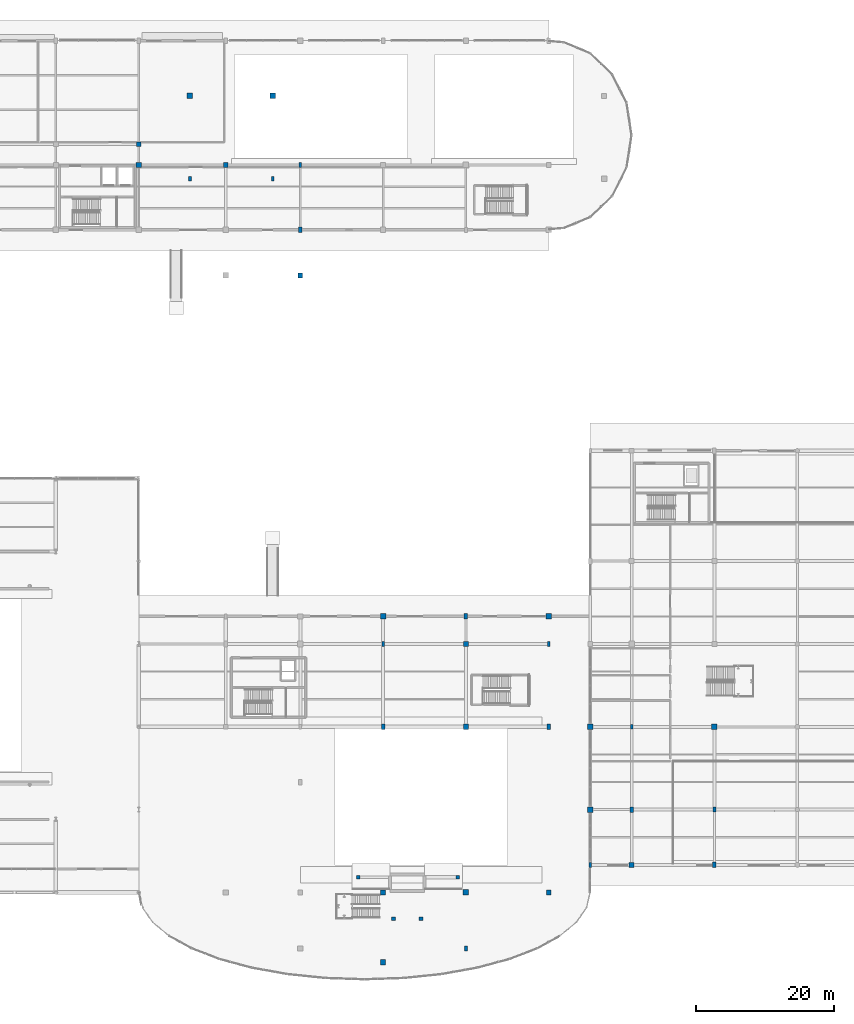
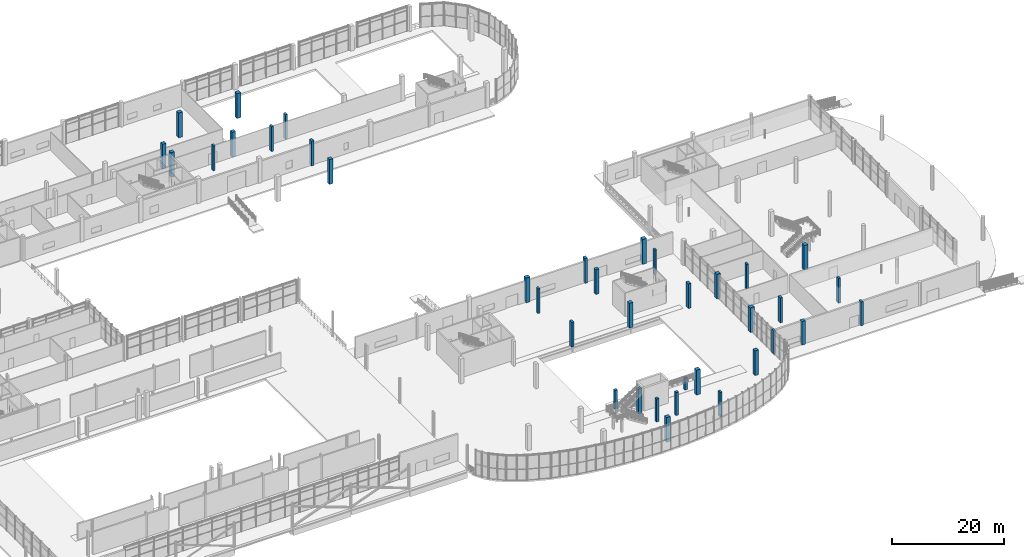
# One storey, part 12 of 85: 37 columns.
"""IFC4 building model written with IfcOpenShell, lengths in metres."""

from ifc_helpers import new_model, si_unit, direction, frame, origin, origin_2d, place, context, subcontext, project, spatial, rectangle, extrude, material, material_profile, profile_set, type_object, element, save


model = new_model("IFC4")

# Units and contexts
model_context = context("Model", 3, precision=1e-05, world=origin(), true_north=direction((0.0, 1.0)))
body_context = subcontext(model_context, "Body", "Model", "MODEL_VIEW")
ifc_project = project(units=[si_unit("LENGTHUNIT", "METRE"), si_unit("AREAUNIT", "SQUARE_METRE"), si_unit("VOLUMEUNIT", "CUBIC_METRE"), si_unit("PLANEANGLEUNIT", "RADIAN"), si_unit("MASSUNIT", "GRAM", prefix="KILO"), si_unit("THERMODYNAMICTEMPERATUREUNIT", "KELVIN"), si_unit("POWERUNIT", "WATT")], contexts=[model_context])

# Site, building, storey
site_placement = place(None, origin())
site = spatial("IfcSite", under=ifc_project, at=site_placement, CompositionType="ELEMENT")
building_placement = place(site_placement, origin())
building = spatial("IfcBuilding", under=site, at=building_placement, Name="Solmara Park Aquatics Centre", CompositionType="ELEMENT")
storey_placement = place(building_placement, origin())
storey = spatial("IfcBuildingStorey", under=building, at=storey_placement, Name="L00", CompositionType="ELEMENT", Elevation=0.0)

# Columns
ifc_material = material(Name="Concrete C40/50", Category="concrete")
ifc_material_profile_1 = material_profile(ifc_material, rectangle(XDim=0.5, YDim=0.800048828125, at=origin_2d()), Name="RC 500x800")
ifc_profile_set_1 = profile_set([ifc_material_profile_1], Name="Concrete C40/50")
column_type_1 = type_object("IfcColumnType", Name="STR-COL-RC500x800", PredefinedType="COLUMN", material=ifc_profile_set_1)
for number, where, z_axis, x_axis, name in (
    (1, (120.0, 108.60009765625, 0.0), (0.0, 0.0, 1.0), (1.0, 0.0, 0.0), "Column L00-0258"),
    (2, (132.0, 36.60009765625, 0.0), (0.0, 0.0, 1.0), (1.0, 0.0, 0.0), "Column L00-0263"),
    (3, (144.0, 52.60009765625, 0.0), (0.0, 0.0, 1.0), (1.0, 0.0, 0.0), "Column L00-0273"),
    (4, (156.0, 36.60009765625, 0.0), (0.0, 0.0, 1.0), (1.0, 0.0, 0.0), "Column L00-0278"),
    (5, (168.0, 24.60009765625, 0.0), (0.0, 0.0, 1.0), (1.0, 0.0, 0.0), "Column L00-0293"),
):
    element("IfcColumn", number, at=place(storey_placement, frame(where, z_axis=z_axis, x_axis=x_axis)), inside=storey, type_object=column_type_1, Name=name, PredefinedType="COLUMN", context=body_context, shape_type="SweptSolid", body=[
        extrude(rectangle(XDim=0.5, YDim=0.800048828125, at=origin_2d()), origin(), (0.0, 0.0, 1.0), 5.39990234375),
    ])
column_1_placement = place(storey_placement, frame((180.0, 16.60009765625, 0.0), z_axis=(0.0, 0.0, 1.0), x_axis=(1.0, 0.0, 0.0)))
element("IfcColumn", 6, at=column_1_placement, inside=storey, type_object=column_type_1, Name="Column L00-0298", PredefinedType="COLUMN", context=body_context, shape_type="SweptSolid", body=[
    extrude(rectangle(XDim=0.5, YDim=0.800048828125, at=origin_2d()), origin(), (0.0, 0.0, 1.0), 5.139892578125),
])
ifc_material_profile_2 = material_profile(ifc_material, rectangle(XDim=0.550048828125, YDim=0.550048828125, at=origin_2d()), Name="RC 550x550")
ifc_profile_set_2 = profile_set([ifc_material_profile_2], Name="Concrete C40/50")
column_type_2 = type_object("IfcColumnType", Name="STR-COL-RC550", PredefinedType="COLUMN", material=ifc_profile_set_2)
column_2_placement = place(storey_placement, frame((128.39990234375, 14.800048828125, 0.0), z_axis=(0.0, 0.0, 1.0), x_axis=(1.0, 0.0, 0.0)))
element("IfcColumn", 7, at=column_2_placement, inside=storey, type_object=column_type_2, Name="Diving Pylon Column L00 128-14", PredefinedType="COLUMN", context=body_context, shape_type="SweptSolid", body=[
    extrude(rectangle(XDim=0.550048828125, YDim=0.550048828125, at=origin_2d()), origin(), (0.0, 0.0, 1.0), 5.0),
])
column_3_placement = place(storey_placement, frame((142.800048828125, 14.800048828125, 0.0), z_axis=(0.0, 0.0, 1.0), x_axis=(1.0, 0.0, 0.0)))
element("IfcColumn", 8, at=column_3_placement, inside=storey, type_object=column_type_2, Name="Diving Pylon Column L00 142-14", PredefinedType="COLUMN", context=body_context, shape_type="SweptSolid", body=[
    extrude(rectangle(XDim=0.550048828125, YDim=0.550048828125, at=origin_2d()), origin(), (0.0, 0.0, 1.0), 2.639892578125),
])
for number, where, z_axis, x_axis, name in (
    (9, (133.5, 8.800048828125, 0.0), (0.0, 0.0, 1.0), (1.0, 0.0, 0.0), "Diving Pylon Column L00 133-8"),
    (10, (137.5, 8.800048828125, 0.0), (0.0, 0.0, 1.0), (1.0, 0.0, 0.0), "Diving Pylon Column L00 137-8"),
):
    element("IfcColumn", number, at=place(storey_placement, frame(where, z_axis=z_axis, x_axis=x_axis)), inside=storey, type_object=column_type_2, Name=name, PredefinedType="COLUMN", context=body_context, shape_type="SweptSolid", body=[
        extrude(rectangle(XDim=0.550048828125, YDim=0.550048828125, at=origin_2d()), origin(), (0.0, 0.0, 1.0), 5.0),
    ])
ifc_material_profile_3 = material_profile(ifc_material, rectangle(XDim=0.699951171875, YDim=0.699951171875, at=origin_2d()), Name="RC 700x700")
ifc_profile_set_3 = profile_set([ifc_material_profile_3], Name="Concrete C40/50")
column_type_3 = type_object("IfcColumnType", Name="STR-COL-RC700", PredefinedType="COLUMN", material=ifc_profile_set_3)
for number, where, z_axis, x_axis, name in (
    (11, (96.60009765625, 121.0, 0.0), (0.0, 0.0, 1.0), (1.0, 0.0, 0.0), "Column L00-0237"),
    (12, (109.199951171875, 118.0, 0.0), (0.0, 0.0, 1.0), (1.0, 0.0, 0.0), "Column L00-0247"),
    (13, (120.0, 102.0, 0.0), (0.0, 0.0, 1.0), (1.0, 0.0, 0.0), "Column L00-0257"),
    (14, (132.0, 12.60009765625, 0.0), (0.0, 0.0, 1.0), (1.0, 0.0, 0.0), "Column L00-0262"),
    (15, (144.0, 48.60009765625, 0.0), (0.0, 0.0, 1.0), (1.0, 0.0, 0.0), "Column L00-0272"),
    (16, (156.0, 12.60009765625, 0.0), (0.0, 0.0, 1.0), (1.0, 0.0, 0.0), "Column L00-0277"),
):
    element("IfcColumn", number, at=place(storey_placement, frame(where, z_axis=z_axis, x_axis=x_axis)), inside=storey, type_object=column_type_3, Name=name, PredefinedType="COLUMN", context=body_context, shape_type="SweptSolid", body=[
        extrude(rectangle(XDim=0.699951171875, YDim=0.699951171875, at=origin_2d()), origin(), (0.0, 0.0, 1.0), 5.39990234375),
    ])
column_4_placement = place(storey_placement, frame((168.0, 16.60009765625, 0.0), z_axis=(0.0, 0.0, 1.0), x_axis=(1.0, 0.0, 0.0)))
element("IfcColumn", 17, at=column_4_placement, inside=storey, type_object=column_type_3, Name="Column L00-0292", PredefinedType="COLUMN", context=body_context, shape_type="SweptSolid", body=[
    extrude(rectangle(XDim=0.699951171875, YDim=0.699951171875, at=origin_2d()), origin(), (0.0, 0.0, 1.0), 5.139892578125),
])
ifc_material_profile_4 = material_profile(ifc_material, rectangle(XDim=0.75, YDim=0.75, at=origin_2d()), Name="RC 750x750")
ifc_profile_set_4 = profile_set([ifc_material_profile_4], Name="Concrete C40/50")
column_type_4 = type_object("IfcColumnType", Name="STR-COL-RC750", PredefinedType="COLUMN", material=ifc_profile_set_4)
for number, where, z_axis, x_axis, name in (
    (18, (96.60009765625, 118.0, 0.0), (0.0, 0.0, 1.0), (1.0, 0.0, 0.0), "Column L00-0236"),
    (19, (132.0, 2.5, 0.0), (0.0, 0.0, 1.0), (1.0, 0.0, 0.0), "Column L00-0261"),
    (20, (144.0, 36.60009765625, 0.0), (0.0, 0.0, 1.0), (1.0, 0.0, 0.0), "Column L00-0271"),
    (21, (162.0, 36.60009765625, 0.0), (0.0, 0.0, 1.0), (1.0, 0.0, 0.0), "Column L00-0286"),
):
    element("IfcColumn", number, at=place(storey_placement, frame(where, z_axis=z_axis, x_axis=x_axis)), inside=storey, type_object=column_type_4, Name=name, PredefinedType="COLUMN", context=body_context, shape_type="SweptSolid", body=[
        extrude(rectangle(XDim=0.75, YDim=0.75, at=origin_2d()), origin(), (0.0, 0.0, 1.0), 5.39990234375),
    ])
ifc_material_profile_5 = material_profile(ifc_material, rectangle(XDim=0.800048828125, YDim=0.800048828125, at=origin_2d()), Name="RC 800x800")
ifc_profile_set_5 = profile_set([ifc_material_profile_5], Name="Concrete C40/50")
column_type_5 = type_object("IfcColumnType", Name="STR-COL-RC800", PredefinedType="COLUMN", material=ifc_profile_set_5)
for number, where, z_axis, x_axis, name in (
    (22, (104.0, 128.0, 0.0), (0.0, 0.0, 1.0), (1.0, 0.0, 0.0), "Column L00-0240"),
    (23, (116.0, 128.0, 0.0), (0.0, 0.0, 1.0), (1.0, 0.0, 0.0), "Column L00-0250"),
    (24, (132.0, 52.60009765625, 0.0), (0.0, 0.0, 1.0), (1.0, 0.0, 0.0), "Column L00-0265"),
    (25, (144.0, 12.60009765625, 0.0), (0.0, 0.0, 1.0), (1.0, 0.0, 0.0), "Column L00-0270"),
    (26, (156.0, 52.60009765625, 0.0), (0.0, 0.0, 1.0), (1.0, 0.0, 0.0), "Column L00-0280"),
    (27, (162.0, 24.60009765625, 0.0), (0.0, 0.0, 1.0), (1.0, 0.0, 0.0), "Column L00-0285"),
    (28, (180.0, 36.60009765625, 0.0), (0.0, 0.0, 1.0), (1.0, 0.0, 0.0), "Column L00-0300"),
):
    element("IfcColumn", number, at=place(storey_placement, frame(where, z_axis=z_axis, x_axis=x_axis)), inside=storey, type_object=column_type_5, Name=name, PredefinedType="COLUMN", context=body_context, shape_type="SweptSolid", body=[
        extrude(rectangle(XDim=0.800048828125, YDim=0.800048828125, at=origin_2d()), origin(), (0.0, 0.0, 1.0), 5.39990234375),
    ])
ifc_material_profile_6 = material_profile(ifc_material, rectangle(XDim=0.39990234375, YDim=0.699951171875, at=origin_2d()), Name="RC 400x700")
ifc_profile_set_6 = profile_set([ifc_material_profile_6], Name="Concrete C40/50")
column_type_6 = type_object("IfcColumnType", Name="STR-PIL-RC400x700", PredefinedType="PILASTER", material=ifc_profile_set_6)
for number, where, z_axis, x_axis, name in (
    (29, (104.0, 116.0, 0.0), (0.0, 0.0, 1.0), (1.0, 0.0, 0.0), "Column L00-0239"),
    (30, (116.0, 116.0, 0.0), (0.0, 0.0, 1.0), (1.0, 0.0, 0.0), "Column L00-0249"),
    (31, (120.0, 118.0, 0.0), (0.0, 0.0, 1.0), (1.0, 0.0, 0.0), "Column L00-0259"),
    (32, (132.0, 48.60009765625, 0.0), (0.0, 0.0, 1.0), (1.0, 0.0, 0.0), "Column L00-0264"),
    (33, (144.0, 4.5, 0.0), (0.0, 0.0, 1.0), (1.0, 0.0, 0.0), "Column L00-0269"),
    (34, (156.0, 48.60009765625, 0.0), (0.0, 0.0, 1.0), (1.0, 0.0, 0.0), "Column L00-0279"),
):
    element("IfcColumn", number, at=place(storey_placement, frame(where, z_axis=z_axis, x_axis=x_axis)), inside=storey, type_object=column_type_6, Name=name, PredefinedType="PILASTER", context=body_context, shape_type="SweptSolid", body=[
        extrude(rectangle(XDim=0.39990234375, YDim=0.699951171875, at=origin_2d()), origin(), (0.0, 0.0, 1.0), 5.39990234375),
    ])
column_5_placement = place(storey_placement, frame((162.0, 16.60009765625, 0.0), z_axis=(0.0, 0.0, 1.0), x_axis=(1.0, 0.0, 0.0)))
element("IfcColumn", 35, at=column_5_placement, inside=storey, type_object=column_type_6, Name="Column L00-0284", PredefinedType="PILASTER", context=body_context, shape_type="SweptSolid", body=[
    extrude(rectangle(XDim=0.39990234375, YDim=0.699951171875, at=origin_2d()), origin(), (0.0, 0.0, 1.0), 5.139892578125),
])
for number, where, z_axis, x_axis, name in (
    (36, (168.0, 36.60009765625, 0.0), (0.0, 0.0, 1.0), (1.0, 0.0, 0.0), "Column L00-0294"),
    (37, (180.0, 24.60009765625, 0.0), (0.0, 0.0, 1.0), (1.0, 0.0, 0.0), "Column L00-0299"),
):
    element("IfcColumn", number, at=place(storey_placement, frame(where, z_axis=z_axis, x_axis=x_axis)), inside=storey, type_object=column_type_6, Name=name, PredefinedType="PILASTER", context=body_context, shape_type="SweptSolid", body=[
        extrude(rectangle(XDim=0.39990234375, YDim=0.699951171875, at=origin_2d()), origin(), (0.0, 0.0, 1.0), 5.39990234375),
    ])

save(model, "model.ifc")
